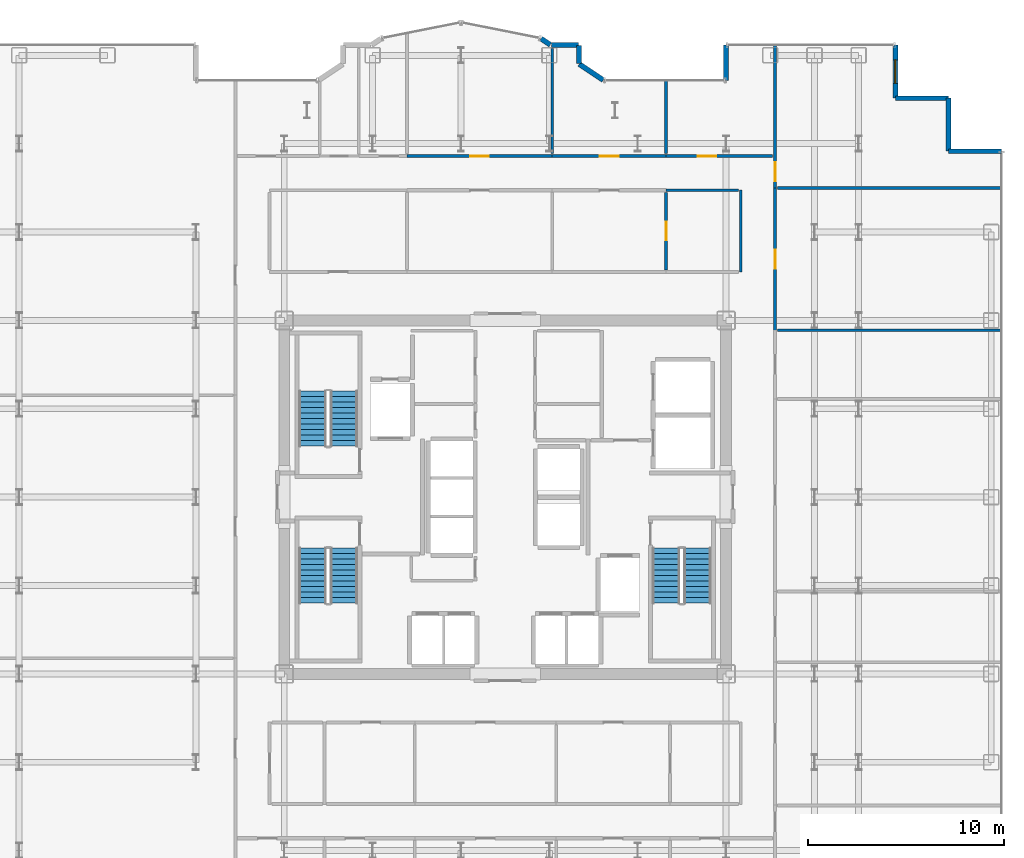
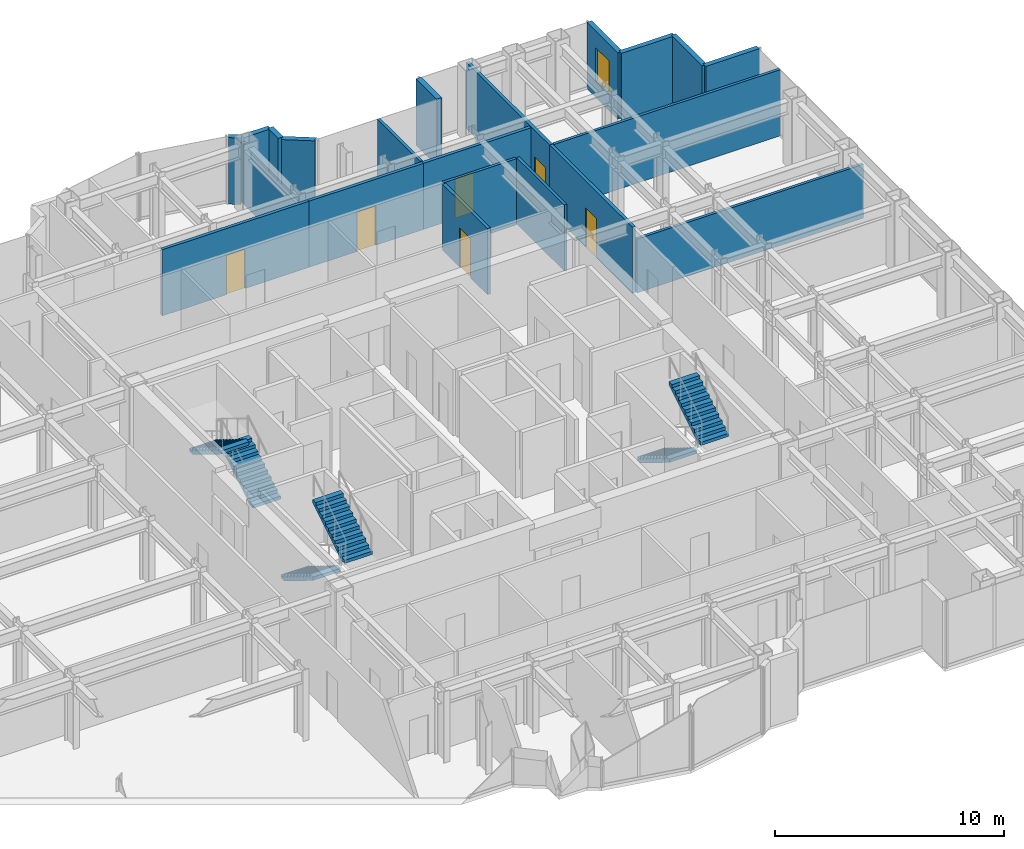
# One storey, part 22 of 23: 21 walls, 6 doors, 6 stair flights, 1 window, 7 openings, 3 elements without a shape of their own.
"""IFC4 building model written with IfcOpenShell, lengths in metres."""

from ifc_helpers import new_model, si_unit, direction, frame, frame_2d, origin, place, context, subcontext, project, spatial, polyline, rectangle, outline, extrude, source, transform, mapped, material, layer, layer_set, type_object, element, fill, aggregate, save


model = new_model("IFC4")

# Units and contexts
model_context = context("Model", 3, precision=1e-05, world=origin(), true_north=direction((0.0, 1.0)))
body_context = subcontext(model_context, "Body", "Model", "MODEL_VIEW")
ifc_project = project(units=[si_unit("LENGTHUNIT", "METRE"), si_unit("AREAUNIT", "SQUARE_METRE"), si_unit("VOLUMEUNIT", "CUBIC_METRE"), si_unit("PLANEANGLEUNIT", "RADIAN"), si_unit("MASSUNIT", "GRAM", prefix="KILO")], contexts=[model_context])

# Site, building, storey
site_placement = place(None, origin())
site = spatial("IfcSite", under=ifc_project, at=site_placement, CompositionType="ELEMENT")
building_placement = place(site_placement, origin())
building = spatial("IfcBuilding", under=site, at=building_placement, Name="Nefas-Gora Pilgrimage Tower", CompositionType="ELEMENT")
storey_placement = place(building_placement, frame((0.0, 0.0, 152.60009765625)))
storey = spatial("IfcBuildingStorey", under=building, at=storey_placement, Name="L37", CompositionType="ELEMENT", Elevation=152.60009765625)

# Walls
ifc_material_1 = material(Name="Precast concrete C40/50", Category="concrete")
ifc_layer_1 = layer(ifc_material_1, 0.260009765625)
ifc_layer_set_1 = layer_set([ifc_layer_1], Name="Precast concrete C40/50")
wall_type_1 = type_object("IfcWallType", Name="EW-PORTAL-260", PredefinedType="SOLIDWALL", material=ifc_layer_set_1)
shared_shape_1 = source(origin(), body_context, "Body", "SweptSolid", [
    extrude(rectangle(XDim=1.800048828125, YDim=0.260009765625, at=frame_2d((0.89990234375, 0.0))), origin(), (0.0, 0.0, 1.0), 3.5498046875),
])
wall_1_placement = place(storey_placement, frame((11.25, 23.02001953125, 0.0), z_axis=(0.0, 0.0, 1.0), x_axis=(0.0, -1.0, 0.0)))
element("IfcWall", 1, at=wall_1_placement, inside=storey, type_object=wall_type_1, Name="L37 Lobe Shoulder Precast Spandrel Pier 10", PredefinedType="SOLIDWALL", context=body_context, shape_type="MappedRepresentation", body=[
    mapped(shared_shape_1, transform((0.0, 0.0, 0.0), x_axis=(1.0, 0.0, 0.0), y_axis=(0.0, 1.0, 0.0), z_axis=(0.0, 0.0, 1.0), scale=1.0)),
])
ifc_material_2 = material(Name="Precast concrete C45/55", Category="concrete")
ifc_layer_2 = layer(ifc_material_2, 0.239990234375)
ifc_layer_set_2 = layer_set([ifc_layer_2], Name="Precast concrete C45/55")
wall_type_2 = type_object("IfcWallType", Name="EW-SERR-240", PredefinedType="SHEAR", material=ifc_layer_set_2)
shared_shape_2 = source(origin(), body_context, "Body", "SweptSolid", [
    extrude(rectangle(XDim=2.699951171875, YDim=0.239990234375, at=frame_2d((1.35009765625, 0.0))), origin(), (0.0, 0.0, 1.0), 3.5498046875),
])
for number, where, z_axis, x_axis, name in (
    (2, (25.27001953125, 17.6201171875, 0.0), (0.0, 0.0, 1.0), (-1.0, 0.0, 0.0), "L37 Serrated Corner Shear Pier Wall 6"),
    (3, (22.570068359375, 17.6201171875, 0.0), (0.0, 0.0, 1.0), (0.0, 1.0, 0.0), "L37 Serrated Corner Shear Pier Wall 7"),
    (4, (22.570068359375, 20.320068359375, 0.0), (0.0, 0.0, 1.0), (-1.0, 0.0, 0.0), "L37 Serrated Corner Shear Pier Wall 8"),
):
    element("IfcWall", number, at=place(storey_placement, frame(where, z_axis=z_axis, x_axis=x_axis)), inside=storey, type_object=wall_type_2, Name=name, PredefinedType="SHEAR", context=body_context, shape_type="MappedRepresentation", body=[
        mapped(shared_shape_2, transform((0.0, 0.0, 0.0), x_axis=(1.0, 0.0, 0.0), y_axis=(0.0, 1.0, 0.0), z_axis=(0.0, 0.0, 1.0), scale=1.0)),
    ])

# Wall, opening, window
wall_2_placement = place(storey_placement, frame((19.8701171875, 20.320068359375, 0.0), z_axis=(0.0, 0.0, 1.0), x_axis=(0.0, 1.0, 0.0)))
wall_2 = element("IfcWall", 5, at=wall_2_placement, inside=storey, type_object=wall_type_2, Name="L37 Serrated Corner Shear Pier Wall 9", PredefinedType="SHEAR", context=body_context, shape_type="MappedRepresentation", body=[
    mapped(shared_shape_2, transform((0.0, 0.0, 0.0), x_axis=(1.0, 0.0, 0.0), y_axis=(0.0, 1.0, 0.0), z_axis=(0.0, 0.0, 1.0), scale=1.0)),
])
opening_1_placement = place(wall_2_placement, frame((0.75, 0.0, 0.85009765625)))
opening_1 = element("IfcOpeningElement", 6, at=opening_1_placement, cuts=wall_2, Name="Opening W-V1", PredefinedType="OPENING", context=body_context, shape_type="SweptSolid", body=[
    extrude(rectangle(XDim=1.199951171875, YDim=1.800048828125, at=frame_2d((0.60009765625, 0.89990234375))), frame((0.0, 0.1298828125, 0.0), z_axis=(0.0, -1.0, 0.0), x_axis=(1.0, 0.0, 0.0)), (0.0, 0.0, 1.0), 0.260009765625),
])
ifc_material_3 = material(Name="Dark ceramic-fritted operable aluminium-glass window", Category="aluminium")
window_type = type_object("IfcWindowType", Name="WIN-VENT-1200x1800", PartitioningType="SINGLE_PANEL", PredefinedType="WINDOW", material=ifc_material_3)
shared_shape_3 = source(origin(), body_context, "Body", "SweptSolid", [
    extrude(rectangle(XDim=1.199951171875, YDim=1.800048828125, at=frame_2d((0.60009765625, 0.89990234375))), frame((0.0, 0.030029296875, 0.0), z_axis=(0.0, -1.0, 0.0), x_axis=(1.0, 0.0, 0.0)), (0.0, 0.0, 1.0), 0.06005859375),
])
window_placement = place(opening_1_placement, origin())
window = element("IfcWindow", 7, at=window_placement, inside=storey, type_object=window_type, Name="L37 Operable Parallel-Outswing Window 9", OverallHeight=1.800048828125, OverallWidth=1.199951171875, PartitioningType="SINGLE_PANEL", PredefinedType="WINDOW", context=body_context, shape_type="MappedRepresentation", body=[
    mapped(shared_shape_3, transform((0.0, 0.0, 0.0), x_axis=(1.0, 0.0, 0.0), y_axis=(0.0, 1.0, 0.0), z_axis=(0.0, 0.0, 1.0), scale=1.0)),
])
fill(opening_1, window)

# Walls
shared_shape_4 = source(origin(), body_context, "Body", "SweptSolid", [
    extrude(rectangle(XDim=1.468994140625, YDim=0.260009765625, at=frame_2d((0.734375, 0.0))), origin(), (0.0, 0.0, 1.0), 3.5498046875),
])
wall_3_placement = place(storey_placement, frame((4.99462890625, 21.235595703125, 0.0), z_axis=(0.0, 0.0, 1.0), x_axis=(-0.831461760506, 0.555581983884, 0.0)))
element("IfcWall", 8, at=wall_3_placement, inside=storey, type_object=wall_type_1, Name="L37 Lobe Shoulder Precast Spandrel Pier 11", PredefinedType="SOLIDWALL", context=body_context, shape_type="MappedRepresentation", body=[
    mapped(shared_shape_4, transform((0.0, 0.0, 0.0), x_axis=(1.0, 0.0, 0.0), y_axis=(0.0, 1.0, 0.0), z_axis=(0.0, 0.0, 1.0), scale=1.0)),
])
shared_shape_5 = source(origin(), body_context, "Body", "SweptSolid", [
    extrude(rectangle(XDim=0.896728515625, YDim=0.260009765625, at=frame_2d((0.4482421875, 0.0))), origin(), (0.0, 0.0, 1.0), 3.5498046875),
])
wall_4_placement = place(storey_placement, frame((3.75, 22.09521484375, 0.0), z_axis=(0.0, 0.0, 1.0), x_axis=(0.0, 1.0, 0.0)))
element("IfcWall", 9, at=wall_4_placement, inside=storey, type_object=wall_type_1, Name="L37 Lobe Shoulder Precast Spandrel Pier 12", PredefinedType="SOLIDWALL", context=body_context, shape_type="MappedRepresentation", body=[
    mapped(shared_shape_5, transform((0.0, 0.0, 0.0), x_axis=(1.0, 0.0, 0.0), y_axis=(0.0, 1.0, 0.0), z_axis=(0.0, 0.0, 1.0), scale=1.0)),
])
shared_shape_6 = source(origin(), body_context, "Body", "SweptSolid", [
    extrude(rectangle(XDim=1.369873046875, YDim=0.260009765625, at=frame_2d((0.68505859375, 0.0))), origin(), (0.0, 0.0, 1.0), 3.5498046875),
])
wall_5_placement = place(storey_placement, frame((3.721923828125, 23.02001953125, 0.0), z_axis=(0.0, 0.0, 1.0), x_axis=(-1.0, 0.0, 0.0)))
element("IfcWall", 10, at=wall_5_placement, inside=storey, type_object=wall_type_1, Name="L37 Lobe Shoulder Precast Spandrel Pier 13", PredefinedType="SOLIDWALL", context=body_context, shape_type="MappedRepresentation", body=[
    mapped(shared_shape_6, transform((0.0, 0.0, 0.0), x_axis=(1.0, 0.0, 0.0), y_axis=(0.0, 1.0, 0.0), z_axis=(0.0, 0.0, 1.0), scale=1.0)),
])
shared_shape_7 = source(origin(), body_context, "Body", "SweptSolid", [
    extrude(rectangle(XDim=0.5654296875, YDim=0.260009765625, at=frame_2d((0.28271484375, 0.0))), origin(), (0.0, 0.0, 1.0), 3.5498046875),
])
wall_6_placement = place(storey_placement, frame((2.30078125, 23.03564453125, 0.0), z_axis=(0.0, 0.0, 1.0), x_axis=(-0.831651492666, 0.555297933317, 0.0)))
element("IfcWall", 11, at=wall_6_placement, inside=storey, type_object=wall_type_1, Name="L37 Lobe Shoulder Precast Spandrel Pier 14", PredefinedType="SOLIDWALL", context=body_context, shape_type="MappedRepresentation", body=[
    mapped(shared_shape_7, transform((0.0, 0.0, 0.0), x_axis=(1.0, 0.0, 0.0), y_axis=(0.0, 1.0, 0.0), z_axis=(0.0, 0.0, 1.0), scale=1.0)),
])

# Wall, opening, door
ifc_material_4 = material(Name="Gypsum acoustic stud partition")
ifc_layer_3 = layer(ifc_material_4, 0.159912109375)
ifc_layer_set_3 = layer_set([ifc_layer_3], Name="Gypsum acoustic stud partition")
wall_type_3 = type_object("IfcWallType", Name="IW-CORR-160", PredefinedType="PARTITIONING", material=ifc_layer_set_3)
shared_shape_8 = source(origin(), body_context, "Body", "SweptSolid", [
    extrude(rectangle(XDim=5.81005859375, YDim=0.159912109375, at=frame_2d((2.905029296875, 0.0))), origin(), (0.0, 0.0, 1.0), 3.534912109375),
])
wall_7_placement = place(storey_placement, frame((2.39501953125, 17.3701171875, 0.0), z_axis=(0.0, 0.0, 1.0), x_axis=(1.0, 0.0, 0.0)))
wall_7 = element("IfcWall", 12, at=wall_7_placement, inside=storey, type_object=wall_type_3, Name="L37 Pilgrim Contemplative Lounge Partition Wall 62", PredefinedType="PARTITIONING", context=body_context, shape_type="MappedRepresentation", body=[
    mapped(shared_shape_8, transform((0.0, 0.0, 0.0), x_axis=(1.0, 0.0, 0.0), y_axis=(0.0, 1.0, 0.0), z_axis=(0.0, 0.0, 1.0), scale=1.0)),
])
opening_2_placement = place(wall_7_placement, frame((2.429931640625, 0.0, 0.0)))
opening_2 = element("IfcOpeningElement", 13, at=opening_2_placement, cuts=wall_7, Name="Opening ID-GR1", PredefinedType="OPENING", context=body_context, shape_type="SweptSolid", body=[
    extrude(rectangle(XDim=0.949951171875, YDim=2.10009765625, at=frame_2d((0.47509765625, 1.050048828125))), frame((0.0, 0.08984375, 0.0), z_axis=(0.0, -1.0, 0.0), x_axis=(1.0, 0.0, 0.0)), (0.0, 0.0, 1.0), 0.179931640625),
])
ifc_material_5 = material(Name="Solid core oak fire-rated guest entrance door")
door_type = type_object("IfcDoorType", Name="DR-INT-GUEST-950", OperationType="NOTDEFINED", PredefinedType="DOOR", material=ifc_material_5)
shared_shape_9 = source(origin(), body_context, "Body", "SweptSolid", [
    extrude(rectangle(XDim=0.949951171875, YDim=2.10009765625, at=frame_2d((0.47509765625, 1.050048828125))), frame((0.0, 0.02490234375, 0.0), z_axis=(0.0, -1.0, 0.0), x_axis=(1.0, 0.0, 0.0)), (0.0, 0.0, 1.0), 0.050048828125),
])
door_1_placement = place(opening_2_placement, origin())
door_1 = element("IfcDoor", 14, at=door_1_placement, inside=storey, type_object=door_type, Name="L37 Pilgrim Contemplative Lounge Door 28", OperationType="SINGLE_SWING_LEFT", OverallHeight=2.10009765625, OverallWidth=0.949951171875, PredefinedType="DOOR", context=body_context, shape_type="MappedRepresentation", body=[
    mapped(shared_shape_9, transform((0.0, 0.0, 0.0), x_axis=(1.0, 0.0, 0.0), y_axis=(0.0, 1.0, 0.0), z_axis=(0.0, 0.0, 1.0), scale=1.0)),
])
fill(opening_2, door_1)

shared_shape_10 = source(origin(), body_context, "Body", "SweptSolid", [
    extrude(rectangle(XDim=5.425048828125, YDim=0.159912109375, at=frame_2d((2.71240234375, 0.0))), origin(), (0.0, 0.0, 1.0), 3.534912109375),
])
wall_8_placement = place(storey_placement, frame((8.195068359375, 17.3701171875, 0.0), z_axis=(0.0, 0.0, 1.0), x_axis=(1.0, 0.0, 0.0)))
wall_8 = element("IfcWall", 15, at=wall_8_placement, inside=storey, type_object=wall_type_3, Name="L37 Pilgrim Contemplative Lounge Partition Wall 67", PredefinedType="PARTITIONING", context=body_context, shape_type="MappedRepresentation", body=[
    mapped(shared_shape_10, transform((0.0, 0.0, 0.0), x_axis=(1.0, 0.0, 0.0), y_axis=(0.0, 1.0, 0.0), z_axis=(0.0, 0.0, 1.0), scale=1.0)),
])
opening_3_placement = place(wall_8_placement, frame((1.611083984375, 0.0, 0.0)))
opening_3 = element("IfcOpeningElement", 16, at=opening_3_placement, cuts=wall_8, Name="Opening ID-GR1", PredefinedType="OPENING", context=body_context, shape_type="SweptSolid", body=[
    extrude(rectangle(XDim=0.949951171875, YDim=2.10009765625, at=frame_2d((0.47509765625, 1.050048828125))), frame((0.0, 0.08984375, 0.0), z_axis=(0.0, -1.0, 0.0), x_axis=(1.0, 0.0, 0.0)), (0.0, 0.0, 1.0), 0.179931640625),
])
door_2_placement = place(opening_3_placement, origin())
door_2 = element("IfcDoor", 17, at=door_2_placement, inside=storey, type_object=door_type, Name="L37 Pilgrim Contemplative Lounge Door 31", OperationType="SINGLE_SWING_RIGHT", OverallHeight=2.10009765625, OverallWidth=0.949951171875, PredefinedType="DOOR", context=body_context, shape_type="MappedRepresentation", body=[
    mapped(shared_shape_9, transform((0.0, 0.0, 0.0), x_axis=(1.0, 0.0, 0.0), y_axis=(0.0, 1.0, 0.0), z_axis=(0.0, 0.0, 1.0), scale=1.0)),
])
fill(opening_3, door_2)

# Wall
ifc_material_6 = material(Name="Gypsum twin-stud partition")
ifc_layer_4 = layer(ifc_material_6, 0.139892578125)
ifc_layer_set_4 = layer_set([ifc_layer_4], Name="Gypsum twin-stud partition")
wall_type_4 = type_object("IfcWallType", Name="IW-UNIT-140", PredefinedType="PARTITIONING", material=ifc_layer_set_4)
shared_shape_11 = source(origin(), body_context, "Body", "SweptSolid", [
    extrude(rectangle(XDim=11.429931640625, YDim=0.139892578125, at=frame_2d((5.71484375, 0.0))), origin(), (0.0, 0.0, 1.0), 3.534912109375),
])
wall_9_placement = place(storey_placement, frame((13.860107421875, 15.74755859375, 0.0), z_axis=(0.0, 0.0, 1.0), x_axis=(1.0, 0.0, 0.0)))
element("IfcWall", 18, at=wall_9_placement, inside=storey, type_object=wall_type_4, Name="L37 Pilgrim Contemplative Lounge Partition Wall 48", PredefinedType="PARTITIONING", context=body_context, shape_type="MappedRepresentation", body=[
    mapped(shared_shape_11, transform((0.0, 0.0, 0.0), x_axis=(1.0, 0.0, 0.0), y_axis=(0.0, 1.0, 0.0), z_axis=(0.0, 0.0, 1.0), scale=1.0)),
])

# Wall, opening, door
shared_shape_12 = source(origin(), body_context, "Body", "SweptSolid", [
    extrude(rectangle(XDim=7.302490234375, YDim=0.159912109375, at=frame_2d((3.6513671875, 0.0))), origin(), (0.0, 0.0, 1.0), 3.534912109375),
])
wall_10_placement = place(storey_placement, frame((13.739990234375, 15.737548828125, 0.0), z_axis=(0.0, 0.0, 1.0), x_axis=(0.0, 1.0, 0.0)))
wall_10 = element("IfcWall", 19, at=wall_10_placement, inside=storey, type_object=wall_type_3, Name="L37 Pilgrim Contemplative Lounge Partition Wall 47", PredefinedType="PARTITIONING", context=body_context, shape_type="MappedRepresentation", body=[
    mapped(shared_shape_12, transform((0.0, 0.0, 0.0), x_axis=(1.0, 0.0, 0.0), y_axis=(0.0, 1.0, 0.0), z_axis=(0.0, 0.0, 1.0), scale=1.0)),
])
opening_4_placement = place(wall_10_placement, frame((0.361328125, 0.0, 0.0)))
opening_4 = element("IfcOpeningElement", 20, at=opening_4_placement, cuts=wall_10, Name="Opening ID-GR1", PredefinedType="OPENING", context=body_context, shape_type="SweptSolid", body=[
    extrude(rectangle(XDim=0.949951171875, YDim=2.10009765625, at=frame_2d((0.47509765625, 1.050048828125))), frame((0.0, 0.08984375, 0.0), z_axis=(0.0, -1.0, 0.0), x_axis=(1.0, 0.0, 0.0)), (0.0, 0.0, 1.0), 0.179931640625),
])
door_3_placement = place(opening_4_placement, origin())
door_3 = element("IfcDoor", 21, at=door_3_placement, inside=storey, type_object=door_type, Name="L37 Pilgrim Contemplative Lounge Door 21", OperationType="SINGLE_SWING_RIGHT", OverallHeight=2.10009765625, OverallWidth=0.949951171875, PredefinedType="DOOR", context=body_context, shape_type="MappedRepresentation", body=[
    mapped(shared_shape_9, transform((0.0, 0.0, 0.0), x_axis=(1.0, 0.0, 0.0), y_axis=(0.0, 1.0, 0.0), z_axis=(0.0, 0.0, 1.0), scale=1.0)),
])
fill(opening_4, door_3)

shared_shape_13 = source(origin(), body_context, "Body", "SweptSolid", [
    extrude(rectangle(XDim=7.242431640625, YDim=0.159912109375, at=frame_2d((3.62109375, 0.0))), origin(), (0.0, 0.0, 1.0), 3.534912109375),
])
wall_11_placement = place(storey_placement, frame((13.739990234375, 8.4951171875, 0.0), z_axis=(0.0, 0.0, 1.0), x_axis=(0.0, 1.0, 0.0)))
wall_11 = element("IfcWall", 22, at=wall_11_placement, inside=storey, type_object=wall_type_3, Name="L37 Pilgrim Contemplative Lounge Partition Wall 49", PredefinedType="PARTITIONING", context=body_context, shape_type="MappedRepresentation", body=[
    mapped(shared_shape_13, transform((0.0, 0.0, 0.0), x_axis=(1.0, 0.0, 0.0), y_axis=(0.0, 1.0, 0.0), z_axis=(0.0, 0.0, 1.0), scale=1.0)),
])
opening_5_placement = place(wall_11_placement, frame((3.146240234375, 0.0, 0.0)))
opening_5 = element("IfcOpeningElement", 23, at=opening_5_placement, cuts=wall_11, Name="Opening ID-GR1", PredefinedType="OPENING", context=body_context, shape_type="SweptSolid", body=[
    extrude(rectangle(XDim=0.949951171875, YDim=2.10009765625, at=frame_2d((0.47509765625, 1.050048828125))), frame((0.0, 0.08984375, 0.0), z_axis=(0.0, -1.0, 0.0), x_axis=(1.0, 0.0, 0.0)), (0.0, 0.0, 1.0), 0.179931640625),
])
door_4_placement = place(opening_5_placement, origin())
door_4 = element("IfcDoor", 24, at=door_4_placement, inside=storey, type_object=door_type, Name="L37 Pilgrim Contemplative Lounge Door 22", OperationType="SINGLE_SWING_LEFT", OverallHeight=2.10009765625, OverallWidth=0.949951171875, PredefinedType="DOOR", context=body_context, shape_type="MappedRepresentation", body=[
    mapped(shared_shape_9, transform((0.0, 0.0, 0.0), x_axis=(1.0, 0.0, 0.0), y_axis=(0.0, 1.0, 0.0), z_axis=(0.0, 0.0, 1.0), scale=1.0)),
])
fill(opening_5, door_4)

shared_shape_14 = source(origin(), body_context, "Body", "SweptSolid", [
    extrude(rectangle(XDim=7.409912109375, YDim=0.159912109375, at=frame_2d((3.705078125, 0.0))), origin(), (0.0, 0.0, 1.0), 3.534912109375),
])
wall_12_placement = place(storey_placement, frame((-5.0048828125, 17.3701171875, 0.0), z_axis=(0.0, 0.0, 1.0), x_axis=(1.0, 0.0, 0.0)))
wall_12 = element("IfcWall", 25, at=wall_12_placement, inside=storey, type_object=wall_type_3, Name="L37 Pilgrim Contemplative Lounge Partition Wall 57", PredefinedType="PARTITIONING", context=body_context, shape_type="MappedRepresentation", body=[
    mapped(shared_shape_14, transform((0.0, 0.0, 0.0), x_axis=(1.0, 0.0, 0.0), y_axis=(0.0, 1.0, 0.0), z_axis=(0.0, 0.0, 1.0), scale=1.0)),
])
opening_6_placement = place(wall_12_placement, frame((3.22998046875, 0.0, 0.0)))
opening_6 = element("IfcOpeningElement", 26, at=opening_6_placement, cuts=wall_12, Name="Opening ID-GR1", PredefinedType="OPENING", context=body_context, shape_type="SweptSolid", body=[
    extrude(rectangle(XDim=0.949951171875, YDim=2.10009765625, at=frame_2d((0.47509765625, 1.050048828125))), frame((0.0, 0.08984375, 0.0), z_axis=(0.0, -1.0, 0.0), x_axis=(1.0, 0.0, 0.0)), (0.0, 0.0, 1.0), 0.179931640625),
])
door_5_placement = place(opening_6_placement, origin())
door_5 = element("IfcDoor", 27, at=door_5_placement, inside=storey, type_object=door_type, Name="L37 Pilgrim Contemplative Lounge Door 26", OperationType="SINGLE_SWING_LEFT", OverallHeight=2.10009765625, OverallWidth=0.949951171875, PredefinedType="DOOR", context=body_context, shape_type="MappedRepresentation", body=[
    mapped(shared_shape_9, transform((0.0, 0.0, 0.0), x_axis=(1.0, 0.0, 0.0), y_axis=(0.0, 1.0, 0.0), z_axis=(0.0, 0.0, 1.0), scale=1.0)),
])
fill(opening_6, door_5)

# Walls
shared_shape_15 = source(origin(), body_context, "Body", "SweptSolid", [
    extrude(rectangle(XDim=5.360107421875, YDim=0.139892578125, at=frame_2d((2.68017578125, 0.0))), origin(), (0.0, 0.0, 1.0), 2.875),
])
wall_13_placement = place(storey_placement, frame((2.39501953125, 17.489990234375, 0.0), z_axis=(0.0, 0.0, 1.0), x_axis=(0.0, 1.0, 0.0)))
element("IfcWall", 28, at=wall_13_placement, inside=storey, type_object=wall_type_4, Name="L37 Pilgrim Contemplative Lounge Partition Wall 58", PredefinedType="PARTITIONING", context=body_context, shape_type="MappedRepresentation", body=[
    mapped(shared_shape_15, transform((0.0, 0.0, 0.0), x_axis=(1.0, 0.0, 0.0), y_axis=(0.0, 1.0, 0.0), z_axis=(0.0, 0.0, 1.0), scale=1.0)),
])
shared_shape_16 = source(origin(), body_context, "Body", "SweptSolid", [
    extrude(rectangle(XDim=3.75, YDim=0.139892578125, at=frame_2d((1.875, 0.0))), origin(), (0.0, 0.0, 1.0), 3.534912109375),
])
wall_14_placement = place(storey_placement, frame((8.195068359375, 17.489990234375, 0.0), z_axis=(0.0, 0.0, 1.0), x_axis=(0.0, 1.0, 0.0)))
element("IfcWall", 29, at=wall_14_placement, inside=storey, type_object=wall_type_4, Name="L37 Pilgrim Contemplative Lounge Partition Wall 63", PredefinedType="PARTITIONING", context=body_context, shape_type="MappedRepresentation", body=[
    mapped(shared_shape_16, transform((0.0, 0.0, 0.0), x_axis=(1.0, 0.0, 0.0), y_axis=(0.0, 1.0, 0.0), z_axis=(0.0, 0.0, 1.0), scale=1.0)),
])

# Wall, opening, door
shared_shape_17 = source(origin(), body_context, "Body", "SweptSolid", [
    extrude(rectangle(XDim=3.929931640625, YDim=0.159912109375, at=frame_2d((1.96484375, 0.0))), origin(), (0.0, 0.0, 1.0), 3.534912109375),
])
wall_15_placement = place(storey_placement, frame((8.195068359375, 11.580078125, 0.0), z_axis=(0.0, 0.0, 1.0), x_axis=(0.0, 1.0, 0.0)))
wall_15 = element("IfcWall", 30, at=wall_15_placement, inside=storey, type_object=wall_type_3, Name="L37 Pilgrim Contemplative Lounge Partition Wall 66", PredefinedType="PARTITIONING", context=body_context, shape_type="MappedRepresentation", body=[
    mapped(shared_shape_17, transform((0.0, 0.0, 0.0), x_axis=(1.0, 0.0, 0.0), y_axis=(0.0, 1.0, 0.0), z_axis=(0.0, 0.0, 1.0), scale=1.0)),
])
opening_7_placement = place(wall_15_placement, frame((1.489990234375, 0.0, 0.0)))
opening_7 = element("IfcOpeningElement", 31, at=opening_7_placement, cuts=wall_15, Name="Opening ID-GR1", PredefinedType="OPENING", context=body_context, shape_type="SweptSolid", body=[
    extrude(rectangle(XDim=0.949951171875, YDim=2.10009765625, at=frame_2d((0.47509765625, 1.050048828125))), frame((0.0, 0.08984375, 0.0), z_axis=(0.0, -1.0, 0.0), x_axis=(1.0, 0.0, 0.0)), (0.0, 0.0, 1.0), 0.179931640625),
])
door_6_placement = place(opening_7_placement, origin())
door_6 = element("IfcDoor", 32, at=door_6_placement, inside=storey, type_object=door_type, Name="L37 Pilgrim Contemplative Lounge Door 30", OperationType="SINGLE_SWING_LEFT", OverallHeight=2.10009765625, OverallWidth=0.949951171875, PredefinedType="DOOR", context=body_context, shape_type="MappedRepresentation", body=[
    mapped(shared_shape_9, transform((0.0, 0.0, 0.0), x_axis=(1.0, 0.0, 0.0), y_axis=(0.0, 1.0, 0.0), z_axis=(0.0, 0.0, 1.0), scale=1.0)),
])
fill(opening_7, door_6)

# Walls
shared_shape_18 = source(origin(), body_context, "Body", "SweptSolid", [
    extrude(rectangle(XDim=4.179931640625, YDim=0.139892578125, at=frame_2d((2.08984375, 0.0))), origin(), (0.0, 0.0, 1.0), 3.534912109375),
])
wall_16_placement = place(storey_placement, frame((12.0, 11.4599609375, 0.0), z_axis=(0.0, 0.0, 1.0), x_axis=(0.0, 1.0, 0.0)))
element("IfcWall", 33, at=wall_16_placement, inside=storey, type_object=wall_type_4, Name="L37 Pilgrim Contemplative Lounge Partition Wall 68", PredefinedType="PARTITIONING", context=body_context, shape_type="MappedRepresentation", body=[
    mapped(shared_shape_18, transform((0.0, 0.0, 0.0), x_axis=(1.0, 0.0, 0.0), y_axis=(0.0, 1.0, 0.0), z_axis=(0.0, 0.0, 1.0), scale=1.0)),
])
shared_shape_19 = source(origin(), body_context, "Body", "SweptSolid", [
    extrude(rectangle(XDim=3.69482421875, YDim=0.139892578125, at=frame_2d((1.847412109375, 0.0))), origin(), (0.0, 0.0, 1.0), 3.534912109375),
])
wall_17_placement = place(storey_placement, frame((8.195068359375, 15.6298828125, 0.0), z_axis=(0.0, 0.0, 1.0), x_axis=(1.0, 0.0, 0.0)))
element("IfcWall", 34, at=wall_17_placement, inside=storey, type_object=wall_type_4, Name="L37 Pilgrim Contemplative Lounge Partition Wall 69", PredefinedType="PARTITIONING", context=body_context, shape_type="MappedRepresentation", body=[
    mapped(shared_shape_19, transform((0.0, 0.0, 0.0), x_axis=(1.0, 0.0, 0.0), y_axis=(0.0, 1.0, 0.0), z_axis=(0.0, 0.0, 1.0), scale=1.0)),
])
shared_shape_20 = source(origin(), body_context, "Body", "SweptSolid", [
    extrude(rectangle(XDim=11.429931640625, YDim=0.139892578125, at=frame_2d((5.71484375, 0.0))), origin(), (0.0, 0.0, 1.0), 2.875),
])
wall_18_placement = place(storey_placement, frame((13.860107421875, 8.4951171875, 0.0), z_axis=(0.0, 0.0, 1.0), x_axis=(1.0, 0.0, 0.0)))
element("IfcWall", 35, at=wall_18_placement, inside=storey, type_object=wall_type_4, Name="L37 Scripture Reading Study Partition Wall 46", PredefinedType="PARTITIONING", context=body_context, shape_type="MappedRepresentation", body=[
    mapped(shared_shape_20, transform((0.0, 0.0, 0.0), x_axis=(1.0, 0.0, 0.0), y_axis=(0.0, 1.0, 0.0), z_axis=(0.0, 0.0, 1.0), scale=1.0)),
])

# Stair, stair flights
ifc_material_7 = material(Name="Concrete C45/55", Category="concrete")
stair_type = type_object("IfcStairType", Name="STR-1400-R1727", PredefinedType="HALF_TURN_STAIR", material=ifc_material_7)
stair_1_placement = place(storey_placement, origin())
stair_1 = element("IfcStair", 36, at=stair_1_placement, inside=storey, type_object=stair_type, Name="L37 Pressurised Tower Exit Stair ST-01", PredefinedType="HALF_TURN_STAIR")
stair_flight_type = type_object("IfcStairFlightType", Name="STF-1400-R1727", PredefinedType="STRAIGHT", material=ifc_material_7)
shared_shape_21 = source(origin(), body_context, "Body", "SweptSolid", [
    extrude(outline(polyline([(0.0, 0.0), (0.0, 0.172607421875), (0.280029296875, 0.172607421875), (0.280029296875, 0.345458984375), (0.56005859375, 0.345458984375), (0.56005859375, 0.51806640625), (0.840087890625, 0.51806640625), (0.840087890625, 0.69091796875), (1.1201171875, 0.69091796875), (1.1201171875, 0.863525390625), (1.39990234375, 0.863525390625), (1.39990234375, 1.036376953125), (1.679931640625, 1.036376953125), (1.679931640625, 1.208984375), (1.9599609375, 1.208984375), (1.9599609375, 1.3818359375), (2.239990234375, 1.3818359375), (2.239990234375, 1.554443359375), (2.52001953125, 1.554443359375), (2.52001953125, 1.727294921875), (2.800048828125, 1.727294921875), (2.800048828125, 1.89990234375), (2.800048828125, 1.551025390625), (0.285400390625, 0.0), (0.0, 0.0)])), frame((0.0, 0.699951171875, 0.0), z_axis=(0.0, -1.0, 0.0), x_axis=(1.0, 0.0, 0.0)), (0.0, 0.0, 1.0), 1.39990234375),
])
stair_flight_1_placement = place(storey_placement, frame((-8.199951171875, 2.60009765625, 0.0), z_axis=(0.0, 0.0, 1.0), x_axis=(0.0, 1.0, 0.0)))
stair_flight_1 = element("IfcStairFlight", 37, at=stair_flight_1_placement, type_object=stair_flight_type, Name="ST-01 flight 1", NumberOfRisers=11, NumberOfTreads=10, PredefinedType="STRAIGHT", RiserHeight=0.172727273, TreadLength=0.28, context=body_context, shape_type="MappedRepresentation", body=[
    mapped(shared_shape_21, transform((0.0, 0.0, 0.0), x_axis=(1.0, 0.0, 0.0), y_axis=(0.0, 1.0, 0.0), z_axis=(0.0, 0.0, 1.0), scale=1.0)),
])
stair_flight_2_placement = place(storey_placement, frame((-9.800048828125, 5.39990234375, 1.89990234375), z_axis=(0.0, 0.0, 1.0), x_axis=(0.0, -1.0, 0.0)))
stair_flight_2 = element("IfcStairFlight", 38, at=stair_flight_2_placement, type_object=stair_flight_type, Name="ST-01 flight 2", NumberOfRisers=11, NumberOfTreads=10, PredefinedType="STRAIGHT", RiserHeight=0.172727273, TreadLength=0.28, context=body_context, shape_type="MappedRepresentation", body=[
    mapped(shared_shape_21, transform((0.0, 0.0, 0.0), x_axis=(1.0, 0.0, 0.0), y_axis=(0.0, 1.0, 0.0), z_axis=(0.0, 0.0, 1.0), scale=1.0)),
])
aggregate(stair_1, [stair_flight_1, stair_flight_2])

stair_2_placement = place(storey_placement, origin())
stair_2 = element("IfcStair", 39, at=stair_2_placement, inside=storey, type_object=stair_type, Name="L37 Pressurised Tower Exit Stair ST-02", PredefinedType="HALF_TURN_STAIR")
stair_flight_3_placement = place(storey_placement, frame((8.199951171875, -2.60009765625, 0.0), z_axis=(0.0, 0.0, 1.0), x_axis=(0.0, -1.0, 0.0)))
stair_flight_3 = element("IfcStairFlight", 40, at=stair_flight_3_placement, type_object=stair_flight_type, Name="ST-02 flight 1", NumberOfRisers=11, NumberOfTreads=10, PredefinedType="STRAIGHT", RiserHeight=0.172727273, TreadLength=0.28, context=body_context, shape_type="MappedRepresentation", body=[
    mapped(shared_shape_21, transform((0.0, 0.0, 0.0), x_axis=(1.0, 0.0, 0.0), y_axis=(0.0, 1.0, 0.0), z_axis=(0.0, 0.0, 1.0), scale=1.0)),
])
stair_flight_4_placement = place(storey_placement, frame((9.800048828125, -5.39990234375, 1.89990234375), z_axis=(0.0, 0.0, 1.0), x_axis=(0.0, 1.0, 0.0)))
stair_flight_4 = element("IfcStairFlight", 41, at=stair_flight_4_placement, type_object=stair_flight_type, Name="ST-02 flight 2", NumberOfRisers=11, NumberOfTreads=10, PredefinedType="STRAIGHT", RiserHeight=0.172727273, TreadLength=0.28, context=body_context, shape_type="MappedRepresentation", body=[
    mapped(shared_shape_21, transform((0.0, 0.0, 0.0), x_axis=(1.0, 0.0, 0.0), y_axis=(0.0, 1.0, 0.0), z_axis=(0.0, 0.0, 1.0), scale=1.0)),
])
aggregate(stair_2, [stair_flight_3, stair_flight_4])

stair_3_placement = place(storey_placement, origin())
stair_3 = element("IfcStair", 42, at=stair_3_placement, inside=storey, type_object=stair_type, Name="L37 Pressurised Tower Exit Stair ST-03", PredefinedType="HALF_TURN_STAIR")
stair_flight_5_placement = place(storey_placement, frame((-9.800048828125, -2.60009765625, 0.0), z_axis=(0.0, 0.0, 1.0), x_axis=(0.0, -1.0, 0.0)))
stair_flight_5 = element("IfcStairFlight", 43, at=stair_flight_5_placement, type_object=stair_flight_type, Name="ST-03 flight 1", NumberOfRisers=11, NumberOfTreads=10, PredefinedType="STRAIGHT", RiserHeight=0.172727273, TreadLength=0.28, context=body_context, shape_type="MappedRepresentation", body=[
    mapped(shared_shape_21, transform((0.0, 0.0, 0.0), x_axis=(1.0, 0.0, 0.0), y_axis=(0.0, 1.0, 0.0), z_axis=(0.0, 0.0, 1.0), scale=1.0)),
])
stair_flight_6_placement = place(storey_placement, frame((-8.199951171875, -5.39990234375, 1.89990234375), z_axis=(0.0, 0.0, 1.0), x_axis=(0.0, 1.0, 0.0)))
stair_flight_6 = element("IfcStairFlight", 44, at=stair_flight_6_placement, type_object=stair_flight_type, Name="ST-03 flight 2", NumberOfRisers=11, NumberOfTreads=10, PredefinedType="STRAIGHT", RiserHeight=0.172727273, TreadLength=0.28, context=body_context, shape_type="MappedRepresentation", body=[
    mapped(shared_shape_21, transform((0.0, 0.0, 0.0), x_axis=(1.0, 0.0, 0.0), y_axis=(0.0, 1.0, 0.0), z_axis=(0.0, 0.0, 1.0), scale=1.0)),
])
aggregate(stair_3, [stair_flight_5, stair_flight_6])

save(model, "model.ifc")
